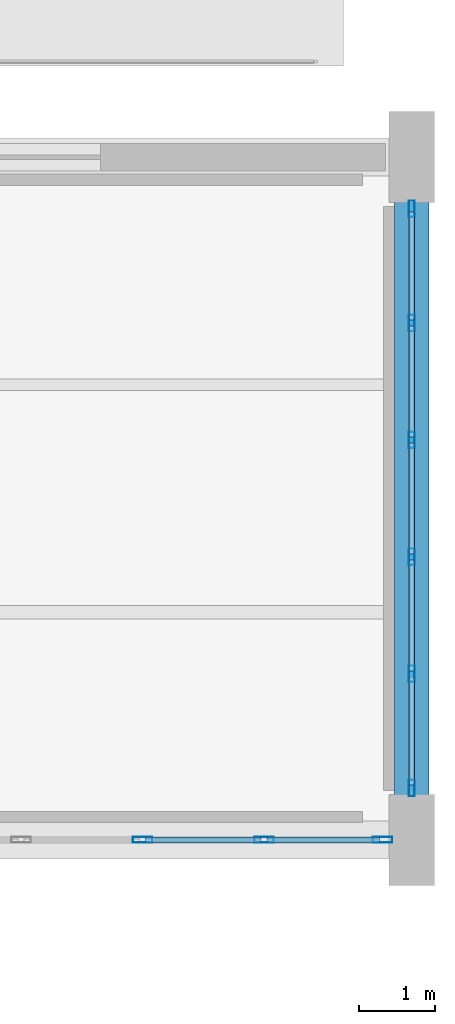
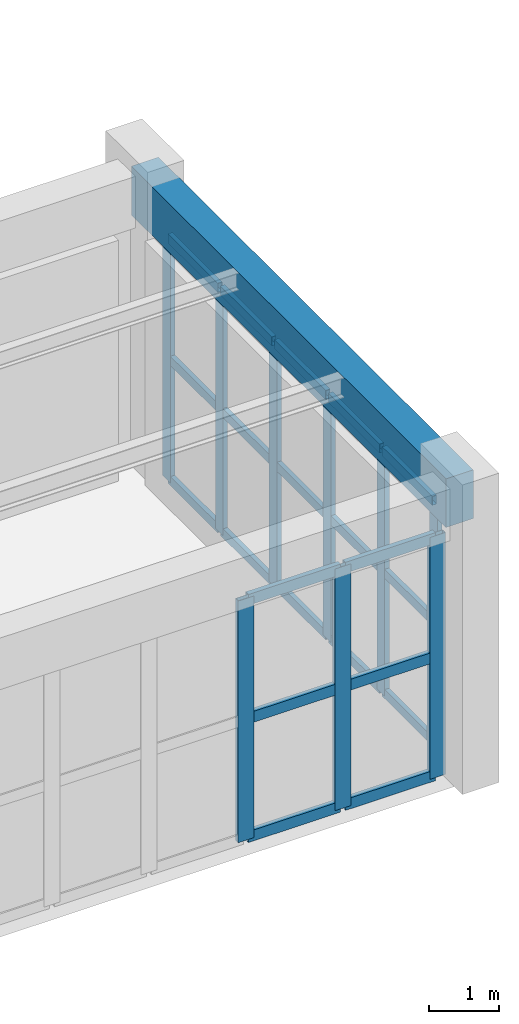
# One storey, part 86 of 140: 30 members, 1 beam, 2 elements without a shape of their own.
"""IFC4 building model written with IfcOpenShell, lengths in metres."""

from ifc_helpers import new_model, si_unit, direction, frame, origin, origin_2d, place, context, subcontext, project, spatial, rectangle, hollow_rectangle, extrude, material, material_profile, profile_set, type_object, element, aggregate, save


model = new_model("IFC4")

# Units and contexts
model_context = context("Model", 3, precision=1e-05, world=origin(), true_north=direction((0.0, 1.0)))
body_context = subcontext(model_context, "Body", "Model", "MODEL_VIEW")
ifc_project = project(units=[si_unit("LENGTHUNIT", "METRE"), si_unit("AREAUNIT", "SQUARE_METRE"), si_unit("VOLUMEUNIT", "CUBIC_METRE"), si_unit("PLANEANGLEUNIT", "RADIAN"), si_unit("MASSUNIT", "GRAM", prefix="KILO")], contexts=[model_context])

# Site, building, storey
site_placement = place(None, origin())
site = spatial("IfcSite", under=ifc_project, at=site_placement, CompositionType="ELEMENT")
building_placement = place(site_placement, origin())
building = spatial("IfcBuilding", under=site, at=building_placement, Name="Haizhuo Lancet Aquarium", CompositionType="ELEMENT")
storey_placement = place(building_placement, origin())
storey = spatial("IfcBuildingStorey", under=building, at=storey_placement, Name="L00", CompositionType="ELEMENT", Elevation=0.0)

# Beam
ifc_material_1 = material(Name="Concrete C40/50", Category="concrete")
ifc_material_profile_1 = material_profile(ifc_material_1, rectangle(XDim=0.449951171875, YDim=0.85009765625, at=origin_2d()), Name="RC-BM 450x850")
ifc_profile_set_1 = profile_set([ifc_material_profile_1], Name="Concrete C40/50")
beam_type = type_object("IfcBeamType", Name="BM-RC-450x850", PredefinedType="BEAM", material=ifc_profile_set_1)
beam_placement = place(storey_placement, frame((82.5, -18.0, 4.695068359375), z_axis=(0.0, 1.0, 0.0), x_axis=(-1.0, 0.0, 0.0)))
element("IfcBeam", 1, at=beam_placement, inside=storey, type_object=beam_type, Name="L00 V3 primary girder BM-L00-V3-035", PredefinedType="BEAM", context=body_context, shape_type="SweptSolid", body=[
    extrude(rectangle(XDim=0.449951171875, YDim=0.85009765625, at=origin_2d()), origin(), (0.0, 0.0, 1.0), 9.0),
])

# Curtain wall, members
ifc_material_2 = material(Name="Aluminium 6063-T6", Category="aluminium")
curtain_wall_type_1 = type_object("IfcCurtainWallType", Name="CWO-7710x4270", PredefinedType="NOTDEFINED", material=ifc_material_2)
curtain_wall_1_placement = place(storey_placement, origin())
curtain_wall_1 = element("IfcCurtainWall", 2, at=curtain_wall_1_placement, inside=storey, type_object=curtain_wall_type_1, Name="L00 curtain wall CW-V3-L00-032", PredefinedType="NOTDEFINED")
ifc_material_profile_2 = material_profile(ifc_material_2, hollow_rectangle(XDim=0.074951171875, YDim=0.219970703125, WallThickness=0.0048828125, at=origin_2d()), Name="ALU-M 75x220x5")
ifc_profile_set_2 = profile_set([ifc_material_profile_2], Name="Aluminium 6063-T6")
member_type_1 = type_object("IfcMemberType", Name="CW-MUL-2", PredefinedType="MULLION", material=ifc_profile_set_2)
member_1_placement = place(storey_placement, frame((82.5, -9.681884765625, 0.0), z_axis=(0.0, 0.0, 1.0), x_axis=(1.0, 0.0, 0.0)))
member_1 = element("IfcMember", 3, at=member_1_placement, type_object=member_type_1, Name="CWO-77x42 mullion 1", PredefinedType="MULLION", context=body_context, shape_type="SweptSolid", body=[
    extrude(hollow_rectangle(XDim=0.074951171875, YDim=0.219970703125, WallThickness=0.0048828125, at=origin_2d()), origin(), (0.0, 0.0, 1.0), 4.27001953125),
])
member_2_placement = place(storey_placement, frame((82.5, -11.18701171875, 0.0), z_axis=(0.0, 0.0, 1.0), x_axis=(1.0, 0.0, 0.0)))
member_2 = element("IfcMember", 4, at=member_2_placement, type_object=member_type_1, Name="CWO-77x42 mullion 2", PredefinedType="MULLION", context=body_context, shape_type="SweptSolid", body=[
    extrude(hollow_rectangle(XDim=0.074951171875, YDim=0.219970703125, WallThickness=0.0048828125, at=origin_2d()), origin(), (0.0, 0.0, 1.0), 4.27001953125),
])
member_3_placement = place(storey_placement, frame((82.5, -12.72900390625, 0.0), z_axis=(0.0, 0.0, 1.0), x_axis=(1.0, 0.0, 0.0)))
member_3 = element("IfcMember", 5, at=member_3_placement, type_object=member_type_1, Name="CWO-77x42 mullion 3", PredefinedType="MULLION", context=body_context, shape_type="SweptSolid", body=[
    extrude(hollow_rectangle(XDim=0.074951171875, YDim=0.219970703125, WallThickness=0.0048828125, at=origin_2d()), origin(), (0.0, 0.0, 1.0), 4.27001953125),
])
member_4_placement = place(storey_placement, frame((82.5, -14.27099609375, 0.0), z_axis=(0.0, 0.0, 1.0), x_axis=(1.0, 0.0, 0.0)))
member_4 = element("IfcMember", 6, at=member_4_placement, type_object=member_type_1, Name="CWO-77x42 mullion 4", PredefinedType="MULLION", context=body_context, shape_type="SweptSolid", body=[
    extrude(hollow_rectangle(XDim=0.074951171875, YDim=0.219970703125, WallThickness=0.0048828125, at=origin_2d()), origin(), (0.0, 0.0, 1.0), 4.27001953125),
])
member_5_placement = place(storey_placement, frame((82.5, -15.81298828125, 0.0), z_axis=(0.0, 0.0, 1.0), x_axis=(1.0, 0.0, 0.0)))
member_5 = element("IfcMember", 7, at=member_5_placement, type_object=member_type_1, Name="CWO-77x42 mullion 5", PredefinedType="MULLION", context=body_context, shape_type="SweptSolid", body=[
    extrude(hollow_rectangle(XDim=0.074951171875, YDim=0.219970703125, WallThickness=0.0048828125, at=origin_2d()), origin(), (0.0, 0.0, 1.0), 4.27001953125),
])
member_6_placement = place(storey_placement, frame((82.5, -17.318115234375, 0.0), z_axis=(0.0, 0.0, 1.0), x_axis=(1.0, 0.0, 0.0)))
member_6 = element("IfcMember", 8, at=member_6_placement, type_object=member_type_1, Name="CWO-77x42 mullion 6", PredefinedType="MULLION", context=body_context, shape_type="SweptSolid", body=[
    extrude(hollow_rectangle(XDim=0.074951171875, YDim=0.219970703125, WallThickness=0.0048828125, at=origin_2d()), origin(), (0.0, 0.0, 1.0), 4.27001953125),
])

curtain_wall_type_2 = type_object("IfcCurtainWallType", Name="CWO-9610x4220", PredefinedType="NOTDEFINED", material=ifc_material_2)
curtain_wall_2_placement = place(storey_placement, origin())
curtain_wall_2 = element("IfcCurtainWall", 9, at=curtain_wall_2_placement, inside=storey, type_object=curtain_wall_type_2, Name="L00 curtain wall CW-V3-L00-033", PredefinedType="NOTDEFINED")
ifc_material_profile_3 = material_profile(ifc_material_2, hollow_rectangle(XDim=0.080078125, YDim=0.260009765625, WallThickness=0.0048828125, at=origin_2d()), Name="ALU-M 80x260x5")
ifc_profile_set_3 = profile_set([ifc_material_profile_3], Name="Aluminium 6063-T6")
member_type_2 = type_object("IfcMemberType", Name="CW-MUL-3", PredefinedType="MULLION", material=ifc_profile_set_3)
member_7_placement = place(storey_placement, frame((82.114990234375, -18.0, 0.0), z_axis=(0.0, 0.0, 1.0), x_axis=(0.0, -1.0, 0.0)))
member_7 = element("IfcMember", 10, at=member_7_placement, type_object=member_type_2, Name="CWO-96x42 mullion 1", PredefinedType="MULLION", context=body_context, shape_type="SweptSolid", body=[
    extrude(hollow_rectangle(XDim=0.080078125, YDim=0.260009765625, WallThickness=0.0048828125, at=origin_2d()), origin(), (0.0, 0.0, 1.0), 4.219970703125),
])
member_8_placement = place(storey_placement, frame((80.552978515625, -18.0, 0.0), z_axis=(0.0, 0.0, 1.0), x_axis=(0.0, -1.0, 0.0)))
member_8 = element("IfcMember", 11, at=member_8_placement, type_object=member_type_2, Name="CWO-96x42 mullion 2", PredefinedType="MULLION", context=body_context, shape_type="SweptSolid", body=[
    extrude(hollow_rectangle(XDim=0.080078125, YDim=0.260009765625, WallThickness=0.0048828125, at=origin_2d()), origin(), (0.0, 0.0, 1.0), 4.219970703125),
])
member_9_placement = place(storey_placement, frame((78.951904296875, -18.0, 0.0), z_axis=(0.0, 0.0, 1.0), x_axis=(0.0, -1.0, 0.0)))
member_9 = element("IfcMember", 12, at=member_9_placement, type_object=member_type_2, Name="CWO-96x42 mullion 3", PredefinedType="MULLION", context=body_context, shape_type="SweptSolid", body=[
    extrude(hollow_rectangle(XDim=0.080078125, YDim=0.260009765625, WallThickness=0.0048828125, at=origin_2d()), origin(), (0.0, 0.0, 1.0), 4.219970703125),
])

# Member
ifc_material_profile_4 = material_profile(ifc_material_2, hollow_rectangle(XDim=0.074951171875, YDim=0.159912109375, WallThickness=0.00390625, at=origin_2d()), Name="ALU-T 75x160x4")
ifc_profile_set_4 = profile_set([ifc_material_profile_4], Name="Aluminium 6063-T6")
member_type_3 = type_object("IfcMemberType", Name="CW-TRN-2", PredefinedType="NOTDEFINED", material=ifc_profile_set_4)
member_10_placement = place(storey_placement, frame((82.5, -9.719970703125, 0.037109375), z_axis=(0.0, -1.0, 0.0), x_axis=(1.0, 0.0, 0.0)))
member_10 = element("IfcMember", 13, at=member_10_placement, type_object=member_type_3, Name="CWO-77x42 transom 1.1", ObjectType="TRANSOM", PredefinedType="USERDEFINED", context=body_context, shape_type="SweptSolid", body=[
    extrude(hollow_rectangle(XDim=0.074951171875, YDim=0.159912109375, WallThickness=0.00390625, at=origin_2d()), origin(), (0.0, 0.0, 1.0), 1.428955078125),
])

member_11_placement = place(storey_placement, frame((82.5, -9.719970703125, 2.135009765625), z_axis=(0.0, -1.0, 0.0), x_axis=(1.0, 0.0, 0.0)))
member_11 = element("IfcMember", 14, at=member_11_placement, type_object=member_type_3, Name="CWO-77x42 transom 1.2", ObjectType="TRANSOM", PredefinedType="USERDEFINED", context=body_context, shape_type="SweptSolid", body=[
    extrude(hollow_rectangle(XDim=0.074951171875, YDim=0.159912109375, WallThickness=0.00390625, at=origin_2d()), origin(), (0.0, 0.0, 1.0), 1.428955078125),
])

member_12_placement = place(storey_placement, frame((82.5, -9.719970703125, 4.23193359375), z_axis=(0.0, -1.0, 0.0), x_axis=(1.0, 0.0, 0.0)))
member_12 = element("IfcMember", 15, at=member_12_placement, type_object=member_type_3, Name="CWO-77x42 transom 1.3", ObjectType="TRANSOM", PredefinedType="USERDEFINED", context=body_context, shape_type="SweptSolid", body=[
    extrude(hollow_rectangle(XDim=0.074951171875, YDim=0.159912109375, WallThickness=0.00390625, at=origin_2d()), origin(), (0.0, 0.0, 1.0), 1.428955078125),
])

member_13_placement = place(storey_placement, frame((82.5, -11.22412109375, 0.037109375), z_axis=(0.0, -1.0, 0.0), x_axis=(1.0, 0.0, 0.0)))
member_13 = element("IfcMember", 16, at=member_13_placement, type_object=member_type_3, Name="CWO-77x42 transom 2.1", ObjectType="TRANSOM", PredefinedType="USERDEFINED", context=body_context, shape_type="SweptSolid", body=[
    extrude(hollow_rectangle(XDim=0.074951171875, YDim=0.159912109375, WallThickness=0.00390625, at=origin_2d()), origin(), (0.0, 0.0, 1.0), 1.466796875),
])

member_14_placement = place(storey_placement, frame((82.5, -11.22412109375, 2.135009765625), z_axis=(0.0, -1.0, 0.0), x_axis=(1.0, 0.0, 0.0)))
member_14 = element("IfcMember", 17, at=member_14_placement, type_object=member_type_3, Name="CWO-77x42 transom 2.2", ObjectType="TRANSOM", PredefinedType="USERDEFINED", context=body_context, shape_type="SweptSolid", body=[
    extrude(hollow_rectangle(XDim=0.074951171875, YDim=0.159912109375, WallThickness=0.00390625, at=origin_2d()), origin(), (0.0, 0.0, 1.0), 1.466796875),
])

member_15_placement = place(storey_placement, frame((82.5, -11.22412109375, 4.23193359375), z_axis=(0.0, -1.0, 0.0), x_axis=(1.0, 0.0, 0.0)))
member_15 = element("IfcMember", 18, at=member_15_placement, type_object=member_type_3, Name="CWO-77x42 transom 2.3", ObjectType="TRANSOM", PredefinedType="USERDEFINED", context=body_context, shape_type="SweptSolid", body=[
    extrude(hollow_rectangle(XDim=0.074951171875, YDim=0.159912109375, WallThickness=0.00390625, at=origin_2d()), origin(), (0.0, 0.0, 1.0), 1.466796875),
])

member_16_placement = place(storey_placement, frame((82.5, -12.76708984375, 0.037109375), z_axis=(0.0, -1.0, 0.0), x_axis=(1.0, 0.0, 0.0)))
member_16 = element("IfcMember", 19, at=member_16_placement, type_object=member_type_3, Name="CWO-77x42 transom 3.1", ObjectType="TRANSOM", PredefinedType="USERDEFINED", context=body_context, shape_type="SweptSolid", body=[
    extrude(hollow_rectangle(XDim=0.074951171875, YDim=0.159912109375, WallThickness=0.00390625, at=origin_2d()), origin(), (0.0, 0.0, 1.0), 1.466796875),
])

member_17_placement = place(storey_placement, frame((82.5, -12.76708984375, 2.135009765625), z_axis=(0.0, -1.0, 0.0), x_axis=(1.0, 0.0, 0.0)))
member_17 = element("IfcMember", 20, at=member_17_placement, type_object=member_type_3, Name="CWO-77x42 transom 3.2", ObjectType="TRANSOM", PredefinedType="USERDEFINED", context=body_context, shape_type="SweptSolid", body=[
    extrude(hollow_rectangle(XDim=0.074951171875, YDim=0.159912109375, WallThickness=0.00390625, at=origin_2d()), origin(), (0.0, 0.0, 1.0), 1.466796875),
])

member_18_placement = place(storey_placement, frame((82.5, -12.76708984375, 4.23193359375), z_axis=(0.0, -1.0, 0.0), x_axis=(1.0, 0.0, 0.0)))
member_18 = element("IfcMember", 21, at=member_18_placement, type_object=member_type_3, Name="CWO-77x42 transom 3.3", ObjectType="TRANSOM", PredefinedType="USERDEFINED", context=body_context, shape_type="SweptSolid", body=[
    extrude(hollow_rectangle(XDim=0.074951171875, YDim=0.159912109375, WallThickness=0.00390625, at=origin_2d()), origin(), (0.0, 0.0, 1.0), 1.466796875),
])

member_19_placement = place(storey_placement, frame((82.5, -14.30908203125, 0.037109375), z_axis=(0.0, -1.0, 0.0), x_axis=(1.0, 0.0, 0.0)))
member_19 = element("IfcMember", 22, at=member_19_placement, type_object=member_type_3, Name="CWO-77x42 transom 4.1", ObjectType="TRANSOM", PredefinedType="USERDEFINED", context=body_context, shape_type="SweptSolid", body=[
    extrude(hollow_rectangle(XDim=0.074951171875, YDim=0.159912109375, WallThickness=0.00390625, at=origin_2d()), origin(), (0.0, 0.0, 1.0), 1.466796875),
])

member_20_placement = place(storey_placement, frame((82.5, -14.30908203125, 2.135009765625), z_axis=(0.0, -1.0, 0.0), x_axis=(1.0, 0.0, 0.0)))
member_20 = element("IfcMember", 23, at=member_20_placement, type_object=member_type_3, Name="CWO-77x42 transom 4.2", ObjectType="TRANSOM", PredefinedType="USERDEFINED", context=body_context, shape_type="SweptSolid", body=[
    extrude(hollow_rectangle(XDim=0.074951171875, YDim=0.159912109375, WallThickness=0.00390625, at=origin_2d()), origin(), (0.0, 0.0, 1.0), 1.466796875),
])

member_21_placement = place(storey_placement, frame((82.5, -14.30908203125, 4.23193359375), z_axis=(0.0, -1.0, 0.0), x_axis=(1.0, 0.0, 0.0)))
member_21 = element("IfcMember", 24, at=member_21_placement, type_object=member_type_3, Name="CWO-77x42 transom 4.3", ObjectType="TRANSOM", PredefinedType="USERDEFINED", context=body_context, shape_type="SweptSolid", body=[
    extrude(hollow_rectangle(XDim=0.074951171875, YDim=0.159912109375, WallThickness=0.00390625, at=origin_2d()), origin(), (0.0, 0.0, 1.0), 1.466796875),
])

member_22_placement = place(storey_placement, frame((82.5, -15.85107421875, 0.037109375), z_axis=(0.0, -1.0, 0.0), x_axis=(1.0, 0.0, 0.0)))
member_22 = element("IfcMember", 25, at=member_22_placement, type_object=member_type_3, Name="CWO-77x42 transom 5.1", ObjectType="TRANSOM", PredefinedType="USERDEFINED", context=body_context, shape_type="SweptSolid", body=[
    extrude(hollow_rectangle(XDim=0.074951171875, YDim=0.159912109375, WallThickness=0.00390625, at=origin_2d()), origin(), (0.0, 0.0, 1.0), 1.428955078125),
])

member_23_placement = place(storey_placement, frame((82.5, -15.85107421875, 2.135009765625), z_axis=(0.0, -1.0, 0.0), x_axis=(1.0, 0.0, 0.0)))
member_23 = element("IfcMember", 26, at=member_23_placement, type_object=member_type_3, Name="CWO-77x42 transom 5.2", ObjectType="TRANSOM", PredefinedType="USERDEFINED", context=body_context, shape_type="SweptSolid", body=[
    extrude(hollow_rectangle(XDim=0.074951171875, YDim=0.159912109375, WallThickness=0.00390625, at=origin_2d()), origin(), (0.0, 0.0, 1.0), 1.428955078125),
])

member_24_placement = place(storey_placement, frame((82.5, -15.85107421875, 4.23193359375), z_axis=(0.0, -1.0, 0.0), x_axis=(1.0, 0.0, 0.0)))
member_24 = element("IfcMember", 27, at=member_24_placement, type_object=member_type_3, Name="CWO-77x42 transom 5.3", ObjectType="TRANSOM", PredefinedType="USERDEFINED", context=body_context, shape_type="SweptSolid", body=[
    extrude(hollow_rectangle(XDim=0.074951171875, YDim=0.159912109375, WallThickness=0.00390625, at=origin_2d()), origin(), (0.0, 0.0, 1.0), 1.428955078125),
])

aggregate(curtain_wall_1, [member_1, member_2, member_3, member_4, member_5, member_6, member_10, member_11, member_12, member_13, member_14, member_15, member_16, member_17, member_18, member_19, member_20, member_21, member_22, member_23, member_24])

ifc_material_profile_5 = material_profile(ifc_material_2, hollow_rectangle(XDim=0.080078125, YDim=0.18994140625, WallThickness=0.0048828125, at=origin_2d()), Name="ALU-T 80x190x5")
ifc_profile_set_5 = profile_set([ifc_material_profile_5], Name="Aluminium 6063-T6")
member_type_4 = type_object("IfcMemberType", Name="CW-TRN-3", PredefinedType="NOTDEFINED", material=ifc_profile_set_5)
member_25_placement = place(storey_placement, frame((82.074951171875, -18.0, 0.0400390625), z_axis=(-1.0, 0.0, 0.0), x_axis=(0.0, -1.0, 0.0)))
member_25 = element("IfcMember", 28, at=member_25_placement, type_object=member_type_4, Name="CWO-96x42 transom 1.1", ObjectType="TRANSOM", PredefinedType="USERDEFINED", context=body_context, shape_type="SweptSolid", body=[
    extrude(hollow_rectangle(XDim=0.080078125, YDim=0.18994140625, WallThickness=0.0048828125, at=origin_2d()), origin(), (0.0, 0.0, 1.0), 1.48193359375),
])

member_26_placement = place(storey_placement, frame((82.074951171875, -18.0, 2.110107421875), z_axis=(-1.0, 0.0, 0.0), x_axis=(0.0, -1.0, 0.0)))
member_26 = element("IfcMember", 29, at=member_26_placement, type_object=member_type_4, Name="CWO-96x42 transom 1.2", ObjectType="TRANSOM", PredefinedType="USERDEFINED", context=body_context, shape_type="SweptSolid", body=[
    extrude(hollow_rectangle(XDim=0.080078125, YDim=0.18994140625, WallThickness=0.0048828125, at=origin_2d()), origin(), (0.0, 0.0, 1.0), 1.48193359375),
])

member_27_placement = place(storey_placement, frame((82.074951171875, -18.0, 4.179931640625), z_axis=(-1.0, 0.0, 0.0), x_axis=(0.0, -1.0, 0.0)))
member_27 = element("IfcMember", 30, at=member_27_placement, type_object=member_type_4, Name="CWO-96x42 transom 1.3", ObjectType="TRANSOM", PredefinedType="USERDEFINED", context=body_context, shape_type="SweptSolid", body=[
    extrude(hollow_rectangle(XDim=0.080078125, YDim=0.18994140625, WallThickness=0.0048828125, at=origin_2d()), origin(), (0.0, 0.0, 1.0), 1.48193359375),
])

member_28_placement = place(storey_placement, frame((80.512939453125, -18.0, 0.0400390625), z_axis=(-1.0, 0.0, 0.0), x_axis=(0.0, -1.0, 0.0)))
member_28 = element("IfcMember", 31, at=member_28_placement, type_object=member_type_4, Name="CWO-96x42 transom 2.1", ObjectType="TRANSOM", PredefinedType="USERDEFINED", context=body_context, shape_type="SweptSolid", body=[
    extrude(hollow_rectangle(XDim=0.080078125, YDim=0.18994140625, WallThickness=0.0048828125, at=origin_2d()), origin(), (0.0, 0.0, 1.0), 1.52099609375),
])

member_29_placement = place(storey_placement, frame((80.512939453125, -18.0, 2.110107421875), z_axis=(-1.0, 0.0, 0.0), x_axis=(0.0, -1.0, 0.0)))
member_29 = element("IfcMember", 32, at=member_29_placement, type_object=member_type_4, Name="CWO-96x42 transom 2.2", ObjectType="TRANSOM", PredefinedType="USERDEFINED", context=body_context, shape_type="SweptSolid", body=[
    extrude(hollow_rectangle(XDim=0.080078125, YDim=0.18994140625, WallThickness=0.0048828125, at=origin_2d()), origin(), (0.0, 0.0, 1.0), 1.52099609375),
])

member_30_placement = place(storey_placement, frame((80.512939453125, -18.0, 4.179931640625), z_axis=(-1.0, 0.0, 0.0), x_axis=(0.0, -1.0, 0.0)))
member_30 = element("IfcMember", 33, at=member_30_placement, type_object=member_type_4, Name="CWO-96x42 transom 2.3", ObjectType="TRANSOM", PredefinedType="USERDEFINED", context=body_context, shape_type="SweptSolid", body=[
    extrude(hollow_rectangle(XDim=0.080078125, YDim=0.18994140625, WallThickness=0.0048828125, at=origin_2d()), origin(), (0.0, 0.0, 1.0), 1.52099609375),
])

aggregate(curtain_wall_2, [member_7, member_8, member_9, member_25, member_26, member_27, member_28, member_29, member_30])

save(model, "model.ifc")
